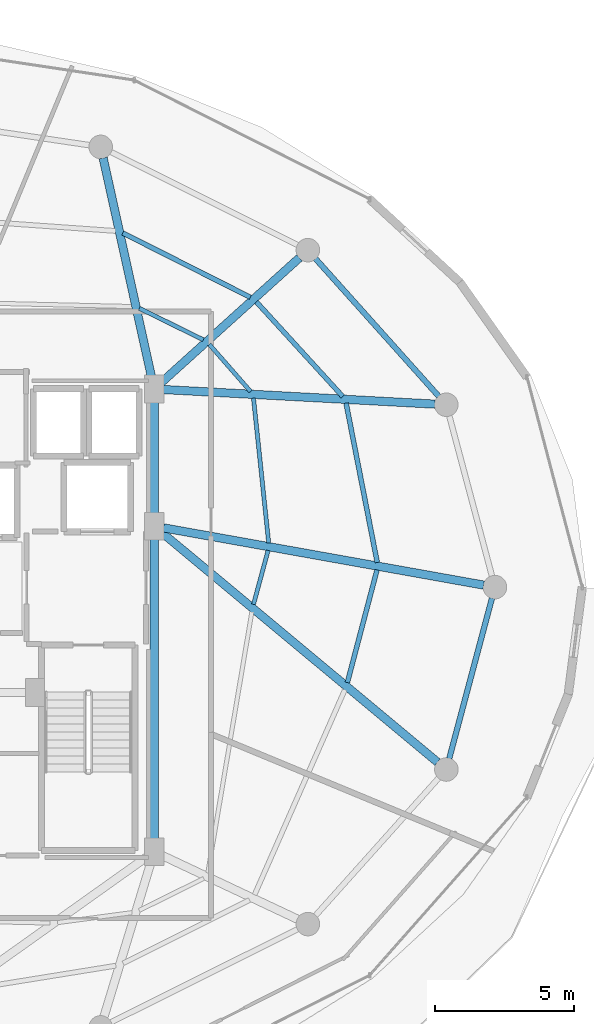
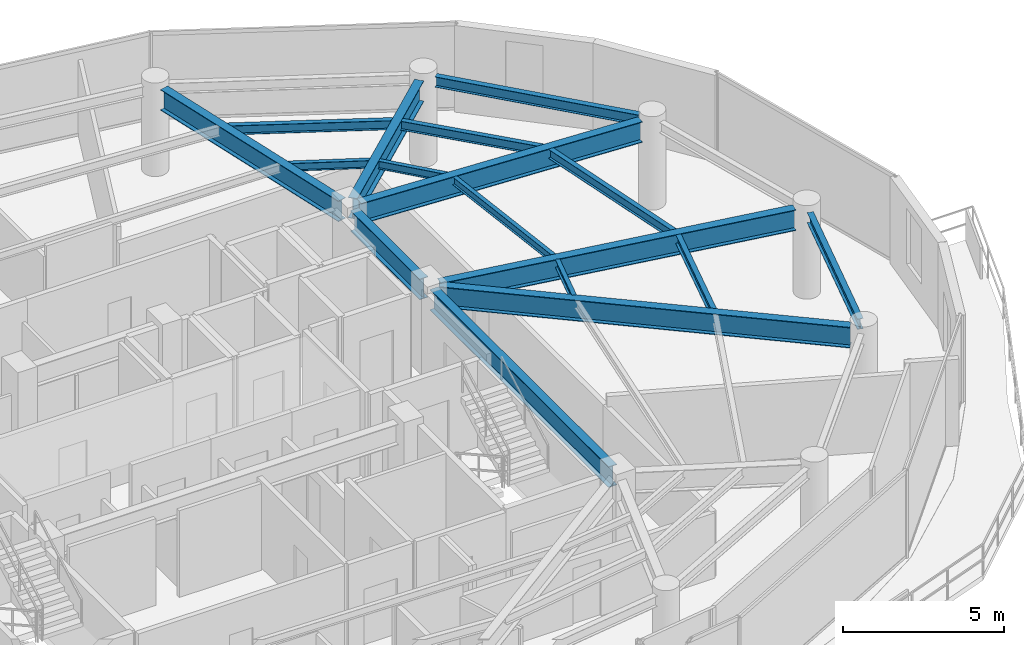
# One storey, part 14 of 30: 17 beams.
"""IFC4 building model written with IfcOpenShell, lengths in metres."""

from ifc_helpers import new_model, si_unit, direction, frame, origin, origin_2d, place, context, subcontext, project, spatial, i_section, extrude, material, material_profile, profile_set, type_object, element, save


model = new_model("IFC4")

# Units and contexts
model_context = context("Model", 3, precision=1e-05, world=origin(), true_north=direction((0.0, 1.0)))
body_context = subcontext(model_context, "Body", "Model", "MODEL_VIEW")
ifc_project = project(units=[si_unit("LENGTHUNIT", "METRE"), si_unit("AREAUNIT", "SQUARE_METRE"), si_unit("VOLUMEUNIT", "CUBIC_METRE"), si_unit("PLANEANGLEUNIT", "RADIAN"), si_unit("MASSUNIT", "GRAM", prefix="KILO")], contexts=[model_context])

# Site, building, storey
site_placement = place(None, origin())
site = spatial("IfcSite", under=ifc_project, at=site_placement, CompositionType="ELEMENT")
building_placement = place(site_placement, origin())
building = spatial("IfcBuilding", under=site, at=building_placement, Name="Vorneva Point Tower", CompositionType="ELEMENT")
storey_placement = place(building_placement, frame((0.0, 0.0, 237.800048828125)))
storey = spatial("IfcBuildingStorey", under=building, at=storey_placement, Name="L64", CompositionType="ELEMENT", Elevation=237.800048828125)

# Beams
ifc_material = material(Name="Steel S355", Category="steel")
ifc_material_profile_1 = material_profile(ifc_material, i_section(OverallWidth=0.300048828125, OverallDepth=0.7880859375, WebThickness=0.014404296875, FlangeThickness=0.02197265625, at=origin_2d()), Name="80Sh1")
ifc_profile_set_1 = profile_set([ifc_material_profile_1], Name="Steel S355")
beam_type_1 = type_object("IfcBeamType", Name="BM-GRD-80Sh1", PredefinedType="USERDEFINED", material=ifc_profile_set_1)
beam_1_placement = place(storey_placement, frame((60.6435546875, 26.07275390625, 2.89599609375), z_axis=(-0.9843788355, 0.17606336422, 0.0), x_axis=(-0.17606336422, -0.9843788355, 0.0)))
element("IfcBeam", 1, at=beam_1_placement, inside=storey, type_object=beam_type_1, Name="L64 Radial Primary Girder 01", ObjectType="GIRDER", PredefinedType="USERDEFINED", context=body_context, shape_type="SweptSolid", body=[
    extrude(i_section(OverallWidth=0.300048828125, OverallDepth=0.7880859375, WebThickness=0.014404296875, FlangeThickness=0.02197265625, at=origin_2d()), origin(), (0.0, 0.0, 1.0), 11.7421875),
])
beam_2_placement = place(storey_placement, frame((58.883056640625, 32.6044921875, 2.89599609375), z_axis=(-0.998554756376, 0.05374382308, 0.0), x_axis=(-0.05374382308, -0.998554756376, 0.0)))
element("IfcBeam", 2, at=beam_2_placement, inside=storey, type_object=beam_type_1, Name="L64 Radial Primary Girder 02", ObjectType="GIRDER", PredefinedType="USERDEFINED", context=body_context, shape_type="SweptSolid", body=[
    extrude(i_section(OverallWidth=0.300048828125, OverallDepth=0.7880859375, WebThickness=0.014404296875, FlangeThickness=0.02197265625, at=origin_2d()), origin(), (0.0, 0.0, 1.0), 9.8076171875),
])
beam_3_placement = place(storey_placement, frame((53.9921875, 37.885498046875, 2.89599609375), z_axis=(-0.7420671051, -0.670325601128, 0.0), x_axis=(0.670325601128, -0.7420671051, 0.0)))
element("IfcBeam", 3, at=beam_3_placement, inside=storey, type_object=beam_type_1, Name="L64 Radial Primary Girder 03", ObjectType="GIRDER", PredefinedType="USERDEFINED", context=body_context, shape_type="SweptSolid", body=[
    extrude(i_section(OverallWidth=0.300048828125, OverallDepth=0.7880859375, WebThickness=0.014404296875, FlangeThickness=0.02197265625, at=origin_2d()), origin(), (0.0, 0.0, 1.0), 6.724365234375),
])
beam_4_placement = place(storey_placement, frame((46.909912109375, 41.4873046875, 2.89599609375), z_axis=(0.215520742957, -0.976499262342, 0.0), x_axis=(0.976499262342, 0.215520742957, 0.0)))
element("IfcBeam", 4, at=beam_4_placement, inside=storey, type_object=beam_type_1, Name="L64 Radial Primary Girder 04", ObjectType="GIRDER", PredefinedType="USERDEFINED", context=body_context, shape_type="SweptSolid", body=[
    extrude(i_section(OverallWidth=0.300048828125, OverallDepth=0.7880859375, WebThickness=0.014404296875, FlangeThickness=0.02197265625, at=origin_2d()), origin(), (0.0, 0.0, 1.0), 8.197998046875),
])
beam_5_placement = place(storey_placement, frame((58.97802734375, 19.68212890625, 2.89599609375), z_axis=(-0.768424898021, 0.639939978515, 0.0), x_axis=(-0.639939978515, -0.768424898021, 0.0)))
element("IfcBeam", 5, at=beam_5_placement, inside=storey, type_object=beam_type_1, Name="L64 Radial Primary Girder 16", ObjectType="GIRDER", PredefinedType="USERDEFINED", context=body_context, shape_type="SweptSolid", body=[
    extrude(i_section(OverallWidth=0.300048828125, OverallDepth=0.7880859375, WebThickness=0.014404296875, FlangeThickness=0.02197265625, at=origin_2d()), origin(), (0.0, 0.0, 1.0), 12.970458984375),
])
beam_6_placement = place(storey_placement, frame((48.75, 16.77001953125, 2.89599609375), z_axis=(0.0, 1.0, 0.0), x_axis=(-1.0, 0.0, 0.0)))
element("IfcBeam", 6, at=beam_6_placement, inside=storey, type_object=beam_type_1, Name="L64 Core Tie Girder CT3", ObjectType="GIRDER", PredefinedType="USERDEFINED", context=body_context, shape_type="SweptSolid", body=[
    extrude(i_section(OverallWidth=0.300048828125, OverallDepth=0.7880859375, WebThickness=0.014404296875, FlangeThickness=0.02197265625, at=origin_2d()), origin(), (0.0, 0.0, 1.0), 11.10986328125),
])
beam_7_placement = place(storey_placement, frame((48.75, 28.52001953125, 2.89599609375), z_axis=(0.0, 1.0, 0.0), x_axis=(-1.0, 0.0, 0.0)))
element("IfcBeam", 7, at=beam_7_placement, inside=storey, type_object=beam_type_1, Name="L64 Core Tie Girder CT4", ObjectType="GIRDER", PredefinedType="USERDEFINED", context=body_context, shape_type="SweptSolid", body=[
    extrude(i_section(OverallWidth=0.300048828125, OverallDepth=0.7880859375, WebThickness=0.014404296875, FlangeThickness=0.02197265625, at=origin_2d()), origin(), (0.0, 0.0, 1.0), 4.31005859375),
])
ifc_material_profile_2 = material_profile(ifc_material, i_section(OverallWidth=0.14892578125, OverallDepth=0.298095703125, WebThickness=0.005615234375, FlangeThickness=0.008056640625, at=origin_2d()), Name="30B1")
ifc_profile_set_2 = profile_set([ifc_material_profile_2], Name="Steel S355")
beam_type_2 = type_object("IfcBeamType", Name="BM-JST-30B1", PredefinedType="JOIST", material=ifc_profile_set_2)
beam_8_placement = place(storey_placement, frame((52.884765625, 27.59521484375, 3.140869140625), z_axis=(-0.104508201647, 0.994524024742, 0.0), x_axis=(-0.994524024742, -0.104508201647, 0.0)))
element("IfcBeam", 8, at=beam_8_placement, inside=storey, type_object=beam_type_2, Name="L64 Secondary Floor Beam 2.01", PredefinedType="JOIST", context=body_context, shape_type="SweptSolid", body=[
    extrude(i_section(OverallWidth=0.14892578125, OverallDepth=0.298095703125, WebThickness=0.005615234375, FlangeThickness=0.008056640625, at=origin_2d()), origin(), (0.0, 0.0, 1.0), 5.25390625),
])
beam_9_placement = place(storey_placement, frame((52.23046875, 33.0615234375, 3.140869140625), z_axis=(-0.659207612715, 0.75196098525, 0.0), x_axis=(-0.75196098525, -0.659207612715, 0.0)))
element("IfcBeam", 9, at=beam_9_placement, inside=storey, type_object=beam_type_2, Name="L64 Secondary Floor Beam 2.02", PredefinedType="JOIST", context=body_context, shape_type="SweptSolid", body=[
    extrude(i_section(OverallWidth=0.14892578125, OverallDepth=0.298095703125, WebThickness=0.005615234375, FlangeThickness=0.008056640625, at=origin_2d()), origin(), (0.0, 0.0, 1.0), 2.260986328125),
])
beam_10_placement = place(storey_placement, frame((50.525146484375, 34.92626953125, 3.140869140625), z_axis=(-0.897106439702, 0.441814481254, 0.0), x_axis=(-0.441814481254, -0.897106439702, 0.0)))
element("IfcBeam", 10, at=beam_10_placement, inside=storey, type_object=beam_type_2, Name="L64 Secondary Floor Beam 2.03", PredefinedType="JOIST", context=body_context, shape_type="SweptSolid", body=[
    extrude(i_section(OverallWidth=0.14892578125, OverallDepth=0.298095703125, WebThickness=0.005615234375, FlangeThickness=0.008056640625, at=origin_2d()), origin(), (0.0, 0.0, 1.0), 2.572265625),
])
beam_11_placement = place(storey_placement, frame((52.336181640625, 25.37646484375, 3.140869140625), z_axis=(0.26104917741, 0.96532550312, 0.0), x_axis=(-0.96532550312, 0.26104917741, 0.0)))
element("IfcBeam", 11, at=beam_11_placement, inside=storey, type_object=beam_type_2, Name="L64 Secondary Floor Beam 2.16", PredefinedType="JOIST", context=body_context, shape_type="SweptSolid", body=[
    extrude(i_section(OverallWidth=0.14892578125, OverallDepth=0.298095703125, WebThickness=0.005615234375, FlangeThickness=0.008056640625, at=origin_2d()), origin(), (0.0, 0.0, 1.0), 2.018310546875),
])
ifc_material_profile_3 = material_profile(ifc_material, i_section(OverallWidth=0.174072265625, OverallDepth=0.345947265625, WebThickness=0.006103515625, FlangeThickness=0.009033203125, at=origin_2d()), Name="35B1")
ifc_profile_set_3 = profile_set([ifc_material_profile_3], Name="Steel S355")
beam_type_3 = type_object("IfcBeamType", Name="BM-SEC-35B1", PredefinedType="BEAM", material=ifc_profile_set_3)
beam_12_placement = place(storey_placement, frame((56.802490234375, 26.890380859375, 3.116943359375), z_axis=(-0.191925271484, 0.981409542528, 0.0), x_axis=(-0.981409542528, -0.191925271484, 0.0)))
element("IfcBeam", 12, at=beam_12_placement, inside=storey, type_object=beam_type_3, Name="L64 Secondary Floor Beam 1.01", PredefinedType="BEAM", context=body_context, shape_type="SweptSolid", body=[
    extrude(i_section(OverallWidth=0.174072265625, OverallDepth=0.345947265625, WebThickness=0.006103515625, FlangeThickness=0.009033203125, at=origin_2d()), origin(), (0.0, 0.0, 1.0), 5.861572265625),
])
beam_13_placement = place(storey_placement, frame((55.55810546875, 32.88037109375, 3.116943359375), z_axis=(-0.674370728017, 0.738392931436, 0.0), x_axis=(-0.738392931436, -0.674370728017, 0.0)))
element("IfcBeam", 13, at=beam_13_placement, inside=storey, type_object=beam_type_3, Name="L64 Secondary Floor Beam 1.02", PredefinedType="BEAM", context=body_context, shape_type="SweptSolid", body=[
    extrude(i_section(OverallWidth=0.174072265625, OverallDepth=0.345947265625, WebThickness=0.006103515625, FlangeThickness=0.009033203125, at=origin_2d()), origin(), (0.0, 0.0, 1.0), 4.625732421875),
])
beam_14_placement = place(storey_placement, frame((52.222412109375, 36.460205078125, 3.116943359375), z_axis=(-0.892860048752, 0.450334246246, 0.0), x_axis=(-0.450334246246, -0.892860048752, 0.0)))
element("IfcBeam", 14, at=beam_14_placement, inside=storey, type_object=beam_type_3, Name="L64 Secondary Floor Beam 1.03", PredefinedType="BEAM", context=body_context, shape_type="SweptSolid", body=[
    extrude(i_section(OverallWidth=0.174072265625, OverallDepth=0.345947265625, WebThickness=0.006103515625, FlangeThickness=0.009033203125, at=origin_2d()), origin(), (0.0, 0.0, 1.0), 5.158935546875),
])
beam_15_placement = place(storey_placement, frame((55.72412109375, 22.5546875, 3.116943359375), z_axis=(0.254401852256, 0.967098597646, 0.0), x_axis=(-0.967098597646, 0.254401852256, 0.0)))
element("IfcBeam", 15, at=beam_15_placement, inside=storey, type_object=beam_type_3, Name="L64 Secondary Floor Beam 1.16", PredefinedType="BEAM", context=body_context, shape_type="SweptSolid", body=[
    extrude(i_section(OverallWidth=0.174072265625, OverallDepth=0.345947265625, WebThickness=0.006103515625, FlangeThickness=0.009033203125, at=origin_2d()), origin(), (0.0, 0.0, 1.0), 4.205322265625),
])
ifc_material_profile_4 = material_profile(ifc_material, i_section(OverallWidth=0.198974609375, OverallDepth=0.39599609375, WebThickness=0.007080078125, FlangeThickness=0.010986328125, at=origin_2d()), Name="40B1")
ifc_profile_set_4 = profile_set([ifc_material_profile_4], Name="Steel S355")
beam_type_4 = type_object("IfcBeamType", Name="BM-SPN-40B1", PredefinedType="SPANDREL", material=ifc_profile_set_4)
beam_16_placement = place(storey_placement, frame((59.02197265625, 32.8876953125, 3.092041015625), z_axis=(-0.667108282638, 0.744960763554, 0.0), x_axis=(-0.744960763554, -0.667108282638, 0.0)))
element("IfcBeam", 16, at=beam_16_placement, inside=storey, type_object=beam_type_4, Name="L64 Perimeter Spandrel Ring Beam 02", PredefinedType="SPANDREL", context=body_context, shape_type="SweptSolid", body=[
    extrude(i_section(OverallWidth=0.198974609375, OverallDepth=0.39599609375, WebThickness=0.007080078125, FlangeThickness=0.010986328125, at=origin_2d()), origin(), (0.0, 0.0, 1.0), 6.670166015625),
])
beam_17_placement = place(storey_placement, frame((59.40087890625, 19.81396484375, 3.092041015625), z_axis=(0.257586570866, 0.966255224312, 0.0), x_axis=(-0.966255224312, 0.257586570866, 0.0)))
element("IfcBeam", 17, at=beam_17_placement, inside=storey, type_object=beam_type_4, Name="L64 Perimeter Spandrel Ring Beam 16", PredefinedType="SPANDREL", context=body_context, shape_type="SweptSolid", body=[
    extrude(i_section(OverallWidth=0.198974609375, OverallDepth=0.39599609375, WebThickness=0.007080078125, FlangeThickness=0.010986328125, at=origin_2d()), origin(), (0.0, 0.0, 1.0), 5.991943359375),
])

save(model, "model.ifc")
